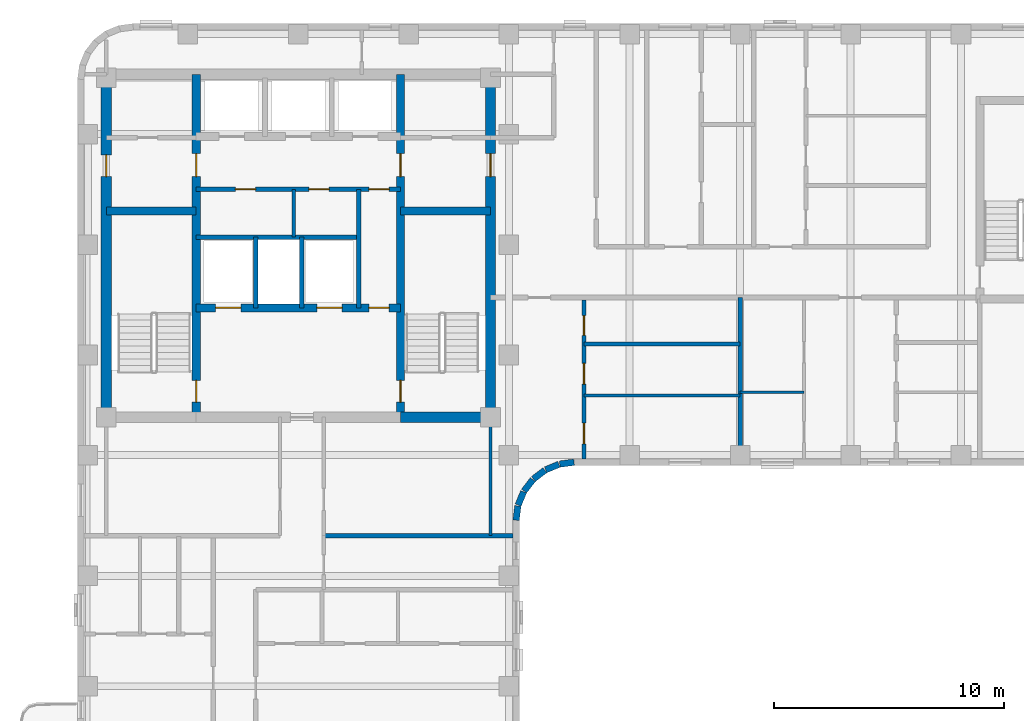
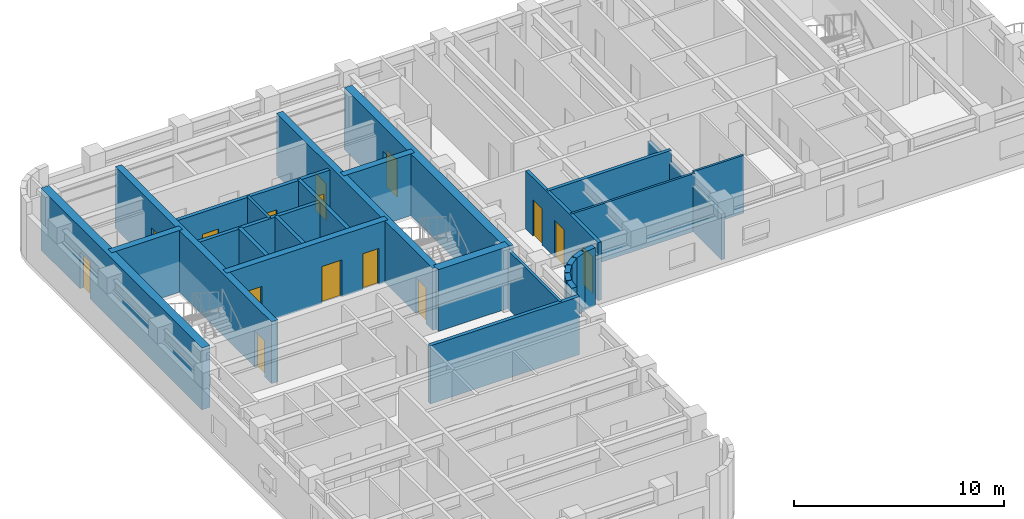
# One storey, part 4 of 10: 27 walls, 15 doors, 15 openings.
"""IFC4 building model written with IfcOpenShell, lengths in metres."""

from ifc_helpers import new_model, si_unit, direction, frame, frame_2d, origin, place, context, subcontext, project, spatial, rectangle, extrude, material, layer, layer_set, type_object, element, fill, save


model = new_model("IFC4")

# Units and contexts
model_context = context("Model", 3, precision=1e-05, world=origin(), true_north=direction((0.0, 1.0)))
body_context = subcontext(model_context, "Body", "Model", "MODEL_VIEW")
ifc_project = project(units=[si_unit("LENGTHUNIT", "METRE"), si_unit("AREAUNIT", "SQUARE_METRE"), si_unit("VOLUMEUNIT", "CUBIC_METRE"), si_unit("PLANEANGLEUNIT", "RADIAN"), si_unit("MASSUNIT", "GRAM", prefix="KILO")], contexts=[model_context])

# Site, building, storey
site_placement = place(None, origin())
site = spatial("IfcSite", under=ifc_project, at=site_placement, CompositionType="ELEMENT")
building_placement = place(site_placement, origin())
building = spatial("IfcBuilding", under=site, at=building_placement, Name="Orvandelia Arch Residences", CompositionType="ELEMENT")
storey_placement = place(building_placement, frame((0.0, 0.0, 225.39990234375)))
storey = spatial("IfcBuildingStorey", under=building, at=storey_placement, Name="L59", CompositionType="ELEMENT", Elevation=225.39990234375)

# Wall, openings, doors
ifc_material_1 = material(Name="Concrete C50/60", Category="concrete")
ifc_layer_1 = layer(ifc_material_1, 0.35009765625, Name="Concrete C50/60", Category="concrete")
ifc_layer_set_1 = layer_set([ifc_layer_1], Name="Concrete C50/60")
wall_type_1 = type_object("IfcWallType", Name="WL-CORE-350", PredefinedType="SHEAR", material=ifc_layer_set_1)
wall_1_placement = place(storey_placement, frame((9.9599609375, 30.89990234375, 0.0), z_axis=(0.0, 0.0, 1.0), x_axis=(0.0, 1.0, 0.0)))
wall_1 = element("IfcWall", 1, at=wall_1_placement, inside=storey, type_object=wall_type_1, Name="Core Shear Wall L59-WEB1", PredefinedType="SHEAR", context=body_context, shape_type="SweptSolid", body=[
    extrude(rectangle(XDim=14.900146484375, YDim=0.35009765625, at=frame_2d((7.4501953125, 0.0))), origin(), (0.0, 0.0, 1.0), 3.60009765625),
])
opening_1_placement = place(wall_1_placement, frame((0.64990234375, 0.0, 0.0)))
opening_1 = element("IfcOpeningElement", 2, at=opening_1_placement, cuts=wall_1, Name="Opening D7", PredefinedType="OPENING", context=body_context, shape_type="SweptSolid", body=[
    extrude(rectangle(XDim=0.949951171875, YDim=2.10009765625, at=frame_2d((0.47509765625, 1.050048828125))), frame((0.0, 0.18505859375, 0.0), z_axis=(0.0, -1.0, 0.0), x_axis=(1.0, 0.0, 0.0)), (0.0, 0.0, 1.0), 0.3701171875),
])
opening_2_placement = place(wall_1_placement, frame((10.449951171875, 0.0, 0.0)))
opening_2 = element("IfcOpeningElement", 3, at=opening_2_placement, cuts=wall_1, Name="Opening D6", PredefinedType="OPENING", context=body_context, shape_type="SweptSolid", body=[
    extrude(rectangle(XDim=1.0, YDim=2.14990234375, at=frame_2d((0.5, 1.074951171875))), frame((0.0, 0.18505859375, 0.0), z_axis=(0.0, -1.0, 0.0), x_axis=(1.0, 0.0, 0.0)), (0.0, 0.0, 1.0), 0.3701171875),
])
ifc_material_2 = material(Name="Smokeproof Painted Steel Fire Door", Category="steel")
door_type_1 = type_object("IfcDoorType", Name="DR-FD60-1000", OperationType="NOTDEFINED", PredefinedType="DOOR", material=ifc_material_2)
door_1_placement = place(opening_2_placement, origin())
door_1 = element("IfcDoor", 4, at=door_1_placement, inside=storey, type_object=door_type_1, Name="High-Rise Lift Hall West Vestibule Door L59", OperationType="SINGLE_SWING_LEFT", OverallHeight=2.14990234375, OverallWidth=1.0, PredefinedType="DOOR", context=body_context, shape_type="SweptSolid", body=[
    extrude(rectangle(XDim=1.0, YDim=2.14990234375, at=frame_2d((0.5, 1.074951171875))), frame((0.0, 0.02490234375, 0.0), z_axis=(0.0, -1.0, 0.0), x_axis=(1.0, 0.0, 0.0)), (0.0, 0.0, 1.0), 0.050048828125),
])
fill(opening_2, door_1)
ifc_material_3 = material(Name="Pressurised Stairwell Fire Door")
door_type_2 = type_object("IfcDoorType", Name="DR-STAIR-950", OperationType="NOTDEFINED", PredefinedType="DOOR", material=ifc_material_3)
door_2_placement = place(opening_1_placement, origin())
door_2 = element("IfcDoor", 5, at=door_2_placement, inside=storey, type_object=door_type_2, Name="Stairwell ST-1 Fire Door L59", OperationType="SINGLE_SWING_LEFT", OverallHeight=2.10009765625, OverallWidth=0.949951171875, PredefinedType="DOOR", context=body_context, shape_type="SweptSolid", body=[
    extrude(rectangle(XDim=0.949951171875, YDim=2.10009765625, at=frame_2d((0.47509765625, 1.050048828125))), frame((0.0, 0.02490234375, 0.0), z_axis=(0.0, -1.0, 0.0), x_axis=(1.0, 0.0, 0.0)), (0.0, 0.0, 1.0), 0.050048828125),
])
fill(opening_1, door_2)

wall_2_placement = place(storey_placement, frame((18.840087890625, 30.89990234375, 0.0), z_axis=(0.0, 0.0, 1.0), x_axis=(0.0, 1.0, 0.0)))
wall_2 = element("IfcWall", 6, at=wall_2_placement, inside=storey, type_object=wall_type_1, Name="Core Shear Wall L59-WEB2", PredefinedType="SHEAR", context=body_context, shape_type="SweptSolid", body=[
    extrude(rectangle(XDim=14.900146484375, YDim=0.35009765625, at=frame_2d((7.4501953125, 0.0))), origin(), (0.0, 0.0, 1.0), 3.60009765625),
])
opening_3_placement = place(wall_2_placement, frame((0.64990234375, 0.0, 0.0)))
opening_3 = element("IfcOpeningElement", 7, at=opening_3_placement, cuts=wall_2, Name="Opening D7", PredefinedType="OPENING", context=body_context, shape_type="SweptSolid", body=[
    extrude(rectangle(XDim=0.949951171875, YDim=2.10009765625, at=frame_2d((0.47509765625, 1.050048828125))), frame((0.0, 0.18505859375, 0.0), z_axis=(0.0, -1.0, 0.0), x_axis=(1.0, 0.0, 0.0)), (0.0, 0.0, 1.0), 0.3701171875),
])
opening_4_placement = place(wall_2_placement, frame((10.449951171875, 0.0, 0.0)))
opening_4 = element("IfcOpeningElement", 8, at=opening_4_placement, cuts=wall_2, Name="Opening D6", PredefinedType="OPENING", context=body_context, shape_type="SweptSolid", body=[
    extrude(rectangle(XDim=1.0, YDim=2.14990234375, at=frame_2d((0.5, 1.074951171875))), frame((0.0, 0.18505859375, 0.0), z_axis=(0.0, -1.0, 0.0), x_axis=(1.0, 0.0, 0.0)), (0.0, 0.0, 1.0), 0.3701171875),
])
door_3_placement = place(opening_4_placement, origin())
door_3 = element("IfcDoor", 9, at=door_3_placement, inside=storey, type_object=door_type_1, Name="High-Rise Lift Hall East Vestibule Door L59", OperationType="SINGLE_SWING_RIGHT", OverallHeight=2.14990234375, OverallWidth=1.0, PredefinedType="DOOR", context=body_context, shape_type="SweptSolid", body=[
    extrude(rectangle(XDim=1.0, YDim=2.14990234375, at=frame_2d((0.5, 1.074951171875))), frame((0.0, 0.02490234375, 0.0), z_axis=(0.0, -1.0, 0.0), x_axis=(1.0, 0.0, 0.0)), (0.0, 0.0, 1.0), 0.050048828125),
])
fill(opening_4, door_3)
door_4_placement = place(opening_3_placement, origin())
door_4 = element("IfcDoor", 10, at=door_4_placement, inside=storey, type_object=door_type_2, Name="Stairwell ST-2 Fire Door L59", OperationType="SINGLE_SWING_RIGHT", OverallHeight=2.10009765625, OverallWidth=0.949951171875, PredefinedType="DOOR", context=body_context, shape_type="SweptSolid", body=[
    extrude(rectangle(XDim=0.949951171875, YDim=2.10009765625, at=frame_2d((0.47509765625, 1.050048828125))), frame((0.0, 0.02490234375, 0.0), z_axis=(0.0, -1.0, 0.0), x_axis=(1.0, 0.0, 0.0)), (0.0, 0.0, 1.0), 0.050048828125),
])
fill(opening_3, door_4)

# Walls
for number, where, z_axis, x_axis, name in (
    (11, (6.050048828125, 39.85009765625, 0.0), (0.0, 0.0, 1.0), (1.0, 0.0, 0.0), "Core Shear Wall L59-HZ1"),
    (12, (18.840087890625, 39.85009765625, 0.0), (0.0, 0.0, 1.0), (1.0, 0.0, 0.0), "Core Shear Wall L59-HZ2"),
):
    element("IfcWall", number, at=place(storey_placement, frame(where, z_axis=z_axis, x_axis=x_axis)), inside=storey, type_object=wall_type_1, Name=name, PredefinedType="SHEAR", context=body_context, shape_type="SweptSolid", body=[
        extrude(rectangle(XDim=3.909912109375, YDim=0.35009765625, at=frame_2d((1.955078125, 0.0))), origin(), (0.0, 0.0, 1.0), 3.60009765625),
    ])

# Wall, openings, doors
wall_3_placement = place(storey_placement, frame((9.9599609375, 35.64990234375, 0.0), z_axis=(0.0, 0.0, 1.0), x_axis=(1.0, 0.0, 0.0)))
wall_3 = element("IfcWall", 13, at=wall_3_placement, inside=storey, type_object=wall_type_1, Name="Core Shear Wall L59-HZ3", PredefinedType="SHEAR", context=body_context, shape_type="SweptSolid", body=[
    extrude(rectangle(XDim=8.880126953125, YDim=0.35009765625, at=frame_2d((4.43994140625, 0.0))), origin(), (0.0, 0.0, 1.0), 3.60009765625),
])
opening_5_placement = place(wall_3_placement, frame((0.840087890625, 0.0, 0.0)))
opening_5 = element("IfcOpeningElement", 14, at=opening_5_placement, cuts=wall_3, Name="Opening FLD", PredefinedType="OPENING", context=body_context, shape_type="SweptSolid", body=[
    extrude(rectangle(XDim=1.10009765625, YDim=2.14990234375, at=frame_2d((0.550048828125, 1.074951171875))), frame((0.0, 0.18505859375, 0.0), z_axis=(0.0, -1.0, 0.0), x_axis=(1.0, 0.0, 0.0)), (0.0, 0.0, 1.0), 0.3701171875),
])
opening_6_placement = place(wall_3_placement, frame((5.239990234375, 0.0, 0.0)))
opening_6 = element("IfcOpeningElement", 15, at=opening_6_placement, cuts=wall_3, Name="Opening FLD", PredefinedType="OPENING", context=body_context, shape_type="SweptSolid", body=[
    extrude(rectangle(XDim=1.10009765625, YDim=2.14990234375, at=frame_2d((0.550048828125, 1.074951171875))), frame((0.0, 0.18505859375, 0.0), z_axis=(0.0, -1.0, 0.0), x_axis=(1.0, 0.0, 0.0)), (0.0, 0.0, 1.0), 0.3701171875),
])
opening_7_placement = place(wall_3_placement, frame((7.5, 0.0, 0.0)))
opening_7 = element("IfcOpeningElement", 16, at=opening_7_placement, cuts=wall_3, Name="Opening D5", PredefinedType="OPENING", context=body_context, shape_type="SweptSolid", body=[
    extrude(rectangle(XDim=0.8798828125, YDim=2.10009765625, at=frame_2d((0.43994140625, 1.050048828125))), frame((0.0, 0.18505859375, 0.0), z_axis=(0.0, -1.0, 0.0), x_axis=(1.0, 0.0, 0.0)), (0.0, 0.0, 1.0), 0.3701171875),
])
ifc_material_4 = material(Name="Firefighting Lift Stainless Sliding Door")
door_type_3 = type_object("IfcDoorType", Name="DR-FLFT-1100", OperationType="NOTDEFINED", PredefinedType="DOOR", material=ifc_material_4)
door_5_placement = place(opening_5_placement, origin())
door_5 = element("IfcDoor", 17, at=door_5_placement, inside=storey, type_object=door_type_3, Name="Firefighting Lift Landing Door FLD-FL1-L59", OperationType="SLIDING_TO_LEFT", OverallHeight=2.14990234375, OverallWidth=1.10009765625, PredefinedType="DOOR", context=body_context, shape_type="SweptSolid", body=[
    extrude(rectangle(XDim=1.10009765625, YDim=2.14990234375, at=frame_2d((0.550048828125, 1.074951171875))), frame((0.0, 0.02490234375, 0.0), z_axis=(0.0, -1.0, 0.0), x_axis=(1.0, 0.0, 0.0)), (0.0, 0.0, 1.0), 0.050048828125),
])
fill(opening_5, door_5)
door_6_placement = place(opening_6_placement, origin())
door_6 = element("IfcDoor", 18, at=door_6_placement, inside=storey, type_object=door_type_3, Name="Firefighting Lift Landing Door FLD-FL2-L59", OperationType="SLIDING_TO_RIGHT", OverallHeight=2.14990234375, OverallWidth=1.10009765625, PredefinedType="DOOR", context=body_context, shape_type="SweptSolid", body=[
    extrude(rectangle(XDim=1.10009765625, YDim=2.14990234375, at=frame_2d((0.550048828125, 1.074951171875))), frame((0.0, 0.02490234375, 0.0), z_axis=(0.0, -1.0, 0.0), x_axis=(1.0, 0.0, 0.0)), (0.0, 0.0, 1.0), 0.050048828125),
])
fill(opening_6, door_6)
ifc_material_5 = material(Name="Painted Galvanised Steel Service Door", Category="steel")
door_type_4 = type_object("IfcDoorType", Name="DR-SRV-880", OperationType="NOTDEFINED", PredefinedType="DOOR", material=ifc_material_5)
door_7_placement = place(opening_7_placement, origin())
door_7 = element("IfcDoor", 19, at=door_7_placement, inside=storey, type_object=door_type_4, Name="Core Stairway Passage South Fire Door L59", OperationType="SINGLE_SWING_LEFT", OverallHeight=2.10009765625, OverallWidth=0.8798828125, PredefinedType="DOOR", context=body_context, shape_type="SweptSolid", body=[
    extrude(rectangle(XDim=0.8798828125, YDim=2.10009765625, at=frame_2d((0.43994140625, 1.050048828125))), frame((0.0, 0.02490234375, 0.0), z_axis=(0.0, -1.0, 0.0), x_axis=(1.0, 0.0, 0.0)), (0.0, 0.0, 1.0), 0.050048828125),
])
fill(opening_7, door_7)

# Wall, opening, door
ifc_layer_2 = layer(ifc_material_1, 0.449951171875, Name="Concrete C50/60", Category="concrete")
ifc_layer_set_2 = layer_set([ifc_layer_2], Name="Concrete C50/60")
wall_type_2 = type_object("IfcWallType", Name="WL-CORE-450", PredefinedType="SHEAR", material=ifc_layer_set_2)
wall_4_placement = place(storey_placement, frame((6.050048828125, 30.675048828125, 0.0), z_axis=(0.0, 0.0, 1.0), x_axis=(0.0, 1.0, 0.0)))
wall_4 = element("IfcWall", 20, at=wall_4_placement, inside=storey, type_object=wall_type_2, Name="Core Shear Wall L59-W", PredefinedType="SHEAR", context=body_context, shape_type="SweptSolid", body=[
    extrude(rectangle(XDim=15.349853515625, YDim=0.449951171875, at=frame_2d((7.6748046875, 0.0))), origin(), (0.0, 0.0, 1.0), 3.60009765625),
])
opening_8_placement = place(wall_4_placement, frame((10.675048828125, 0.0, 0.0)))
opening_8 = element("IfcOpeningElement", 21, at=opening_8_placement, cuts=wall_4, Name="Opening D2", PredefinedType="OPENING", context=body_context, shape_type="SweptSolid", body=[
    extrude(rectangle(XDim=0.949951171875, YDim=2.14990234375, at=frame_2d((0.47509765625, 1.074951171875))), frame((0.0, 0.23486328125, 0.0), z_axis=(0.0, -1.0, 0.0), x_axis=(1.0, 0.0, 0.0)), (0.0, 0.0, 1.0), 0.469970703125),
])
ifc_material_6 = material(Name="Solid-Core Timber Interior Fire Door", Category="wood")
door_type_5 = type_object("IfcDoorType", Name="DR-APT-950", OperationType="NOTDEFINED", PredefinedType="DOOR", material=ifc_material_6)
door_8_placement = place(opening_8_placement, origin())
door_8 = element("IfcDoor", 22, at=door_8_placement, inside=storey, type_object=door_type_5, Name="West Viewing Study Door L59", OperationType="SINGLE_SWING_RIGHT", OverallHeight=2.14990234375, OverallWidth=0.949951171875, PredefinedType="DOOR", context=body_context, shape_type="SweptSolid", body=[
    extrude(rectangle(XDim=0.949951171875, YDim=2.14990234375, at=frame_2d((0.47509765625, 1.074951171875))), frame((0.0, 0.02490234375, 0.0), z_axis=(0.0, -1.0, 0.0), x_axis=(1.0, 0.0, 0.0)), (0.0, 0.0, 1.0), 0.050048828125),
])
fill(opening_8, door_8)

wall_5_placement = place(storey_placement, frame((22.75, 30.675048828125, 0.0), z_axis=(0.0, 0.0, 1.0), x_axis=(0.0, 1.0, 0.0)))
wall_5 = element("IfcWall", 23, at=wall_5_placement, inside=storey, type_object=wall_type_2, Name="Core Shear Wall L59-E", PredefinedType="SHEAR", context=body_context, shape_type="SweptSolid", body=[
    extrude(rectangle(XDim=15.349853515625, YDim=0.449951171875, at=frame_2d((7.6748046875, 0.0))), origin(), (0.0, 0.0, 1.0), 3.60009765625),
])
opening_9_placement = place(wall_5_placement, frame((10.675048828125, 0.0, 0.0)))
opening_9 = element("IfcOpeningElement", 24, at=opening_9_placement, cuts=wall_5, Name="Opening D6", PredefinedType="OPENING", context=body_context, shape_type="SweptSolid", body=[
    extrude(rectangle(XDim=1.0, YDim=2.14990234375, at=frame_2d((0.5, 1.074951171875))), frame((0.0, 0.23486328125, 0.0), z_axis=(0.0, -1.0, 0.0), x_axis=(1.0, 0.0, 0.0)), (0.0, 0.0, 1.0), 0.469970703125),
])
door_9_placement = place(opening_9_placement, origin())
door_9 = element("IfcDoor", 25, at=door_9_placement, inside=storey, type_object=door_type_1, Name="Core East Corridor Link Door L59", OperationType="SINGLE_SWING_LEFT", OverallHeight=2.14990234375, OverallWidth=1.0, PredefinedType="DOOR", context=body_context, shape_type="SweptSolid", body=[
    extrude(rectangle(XDim=1.0, YDim=2.14990234375, at=frame_2d((0.5, 1.074951171875))), frame((0.0, 0.02490234375, 0.0), z_axis=(0.0, -1.0, 0.0), x_axis=(1.0, 0.0, 0.0)), (0.0, 0.0, 1.0), 0.050048828125),
])
fill(opening_9, door_9)

# Walls
wall_6_placement = place(storey_placement, frame((18.840087890625, 30.89990234375, 0.0), z_axis=(0.0, 0.0, 1.0), x_axis=(1.0, 0.0, 0.0)))
element("IfcWall", 26, at=wall_6_placement, inside=storey, type_object=wall_type_2, Name="Core Shear Wall L59-SE", PredefinedType="SHEAR", context=body_context, shape_type="SweptSolid", body=[
    extrude(rectangle(XDim=3.909912109375, YDim=0.449951171875, at=frame_2d((1.955078125, 0.0))), origin(), (0.0, 0.0, 1.0), 3.60009765625),
])
ifc_material_7 = material(Name="Fire-Rated Corridor Partition")
ifc_layer_3 = layer(ifc_material_7, 0.199951171875, Name="Fire-Rated Corridor Partition")
ifc_layer_set_3 = layer_set([ifc_layer_3], Name="Fire-Rated Corridor Partition")
wall_type_3 = type_object("IfcWallType", Name="WL-CORR-200", PredefinedType="PARTITIONING", material=ifc_layer_set_3)
wall_7_placement = place(storey_placement, frame((15.5, 25.75, 0.0), z_axis=(0.0, 0.0, 1.0), x_axis=(1.0, 0.0, 0.0)))
element("IfcWall", 27, at=wall_7_placement, inside=storey, type_object=wall_type_3, Name="Interior Partition Wall WL-L59-WLNK-NE2", PredefinedType="PARTITIONING", context=body_context, shape_type="SweptSolid", body=[
    extrude(rectangle(XDim=8.219970703125, YDim=0.199951171875, at=frame_2d((4.10986328125, 0.0))), origin(), (0.0, 0.0, 1.0), 3.380126953125),
])
ifc_material_8 = material(Name="Concrete C40/50", Category="concrete")
ifc_layer_4 = layer(ifc_material_8, 0.199951171875, Name="Concrete C40/50", Category="concrete")
ifc_layer_set_4 = layer_set([ifc_layer_4], Name="Concrete C40/50")
wall_type_4 = type_object("IfcWallType", Name="WL-DEM-200", PredefinedType="SOLIDWALL", material=ifc_layer_set_4)
wall_8_placement = place(storey_placement, frame((33.60009765625, 29.080078125, 0.0), z_axis=(0.0, 0.0, 1.0), x_axis=(0.0, 1.0, 0.0)))
element("IfcWall", 28, at=wall_8_placement, inside=storey, type_object=wall_type_4, Name="Interior Partition Wall WL-L59-DEM-EMS-336", PredefinedType="SOLIDWALL", context=body_context, shape_type="SweptSolid", body=[
    extrude(rectangle(XDim=7.02001953125, YDim=0.199951171875, at=frame_2d((3.510009765625, 0.0))), origin(), (0.0, 0.0, 1.0), 2.66015625),
])
ifc_material_9 = material(Name="Precast concrete C40/50", Category="concrete")
ifc_layer_5 = layer(ifc_material_9, 0.280029296875, Name="Precast concrete C40/50", Category="concrete")
ifc_layer_set_5 = layer_set([ifc_layer_5], Name="Precast concrete C40/50")
wall_type_5 = type_object("IfcWallType", Name="WL-EXT-STONE-280", PredefinedType="STANDARD", material=ifc_layer_set_5)
wall_9_placement = place(storey_placement, frame((26.381591796875, 28.938720703125, 0.0), z_axis=(0.0, 0.0, 1.0), x_axis=(-0.9914410257, -0.130555323746, 0.0)))
element("IfcWall", 29, at=wall_9_placement, inside=storey, type_object=wall_type_5, Name="Coral-Limestone Precast Facade Wall L59-022", PredefinedType="STANDARD", context=body_context, shape_type="SweptSolid", body=[
    extrude(rectangle(XDim=0.62646484375, YDim=0.280029296875, at=frame_2d((0.313232421875, 0.0))), origin(), (0.0, 0.0, 1.0), 3.380126953125),
])
wall_10_placement = place(storey_placement, frame((25.72509765625, 28.847412109375, 0.0), z_axis=(0.0, 0.0, 1.0), x_axis=(-0.923974080304, -0.382455093999, 0.0)))
element("IfcWall", 30, at=wall_10_placement, inside=storey, type_object=wall_type_5, Name="Coral-Limestone Precast Facade Wall L59-023", PredefinedType="STANDARD", context=body_context, shape_type="SweptSolid", body=[
    extrude(rectangle(XDim=0.626220703125, YDim=0.280029296875, at=frame_2d((0.31298828125, 0.0))), origin(), (0.0, 0.0, 1.0), 3.380126953125),
])
for number, where, z_axis, x_axis, name in (
    (31, (25.11474609375, 28.589599609375, 0.0), (0.0, 0.0, 1.0), (-0.793405610854, -0.608693302629, 0.0), "Coral-Limestone Precast Facade Wall L59-024"),
    (32, (24.591796875, 28.182373046875, 0.0), (0.0, 0.0, 1.0), (-0.608693302629, -0.793405610854, 0.0), "Coral-Limestone Precast Facade Wall L59-025"),
    (33, (24.192138671875, 27.653564453125, 0.0), (0.0, 0.0, 1.0), (-0.382650053678, -0.92389335771, 0.0), "Coral-Limestone Precast Facade Wall L59-026"),
):
    element("IfcWall", number, at=place(storey_placement, frame(where, z_axis=z_axis, x_axis=x_axis)), inside=storey, type_object=wall_type_5, Name=name, PredefinedType="STANDARD", context=body_context, shape_type="SweptSolid", body=[
        extrude(rectangle(XDim=0.62646484375, YDim=0.280029296875, at=frame_2d((0.313232421875, 0.0))), origin(), (0.0, 0.0, 1.0), 3.380126953125),
    ])
wall_11_placement = place(storey_placement, frame((23.943115234375, 27.03955078125, 0.0), z_axis=(0.0, 0.0, 1.0), x_axis=(-0.130887801573, -0.991397187508, 0.0)))
element("IfcWall", 34, at=wall_11_placement, inside=storey, type_object=wall_type_5, Name="Coral-Limestone Precast Facade Wall L59-027", PredefinedType="STANDARD", context=body_context, shape_type="SweptSolid", body=[
    extrude(rectangle(XDim=0.626708984375, YDim=0.280029296875, at=frame_2d((0.3134765625, 0.0))), origin(), (0.0, 0.0, 1.0), 3.380126953125),
])
ifc_material_10 = material(Name="Lightweight Gypsum Stud Partition")
ifc_layer_6 = layer(ifc_material_10, 0.1201171875, Name="Lightweight Gypsum Stud Partition")
ifc_layer_set_6 = layer_set([ifc_layer_6], Name="Lightweight Gypsum Stud Partition")
wall_type_6 = type_object("IfcWallType", Name="WL-PART-120", PredefinedType="PARTITIONING", material=ifc_layer_set_6)
wall_12_placement = place(storey_placement, frame((26.81298828125, 31.8359375, 0.0), z_axis=(0.0, 0.0, 1.0), x_axis=(1.0, 0.0, 0.0)))
element("IfcWall", 35, at=wall_12_placement, inside=storey, type_object=wall_type_6, Name="Interior Partition Wall WL-L59-U05-H1", PredefinedType="PARTITIONING", context=body_context, shape_type="SweptSolid", body=[
    extrude(rectangle(XDim=6.787109375, YDim=0.1201171875, at=frame_2d((3.3935546875, 0.0))), origin(), (0.0, 0.0, 1.0), 3.380126953125),
])
wall_13_placement = place(storey_placement, frame((33.60009765625, 31.97509765625, 0.0), z_axis=(0.0, 0.0, 1.0), x_axis=(1.0, 0.0, 0.0)))
element("IfcWall", 36, at=wall_13_placement, inside=storey, type_object=wall_type_6, Name="Interior Partition Wall WL-L59-U06-HB", PredefinedType="PARTITIONING", context=body_context, shape_type="SweptSolid", body=[
    extrude(rectangle(XDim=2.77490234375, YDim=0.1201171875, at=frame_2d((1.387451171875, 0.0))), origin(), (0.0, 0.0, 1.0), 3.380126953125),
])
ifc_material_11 = material(Name="Acoustic Gypsum Stud Partition")
ifc_layer_7 = layer(ifc_material_11, 0.14990234375, Name="Acoustic Gypsum Stud Partition")
ifc_layer_set_7 = layer_set([ifc_layer_7], Name="Acoustic Gypsum Stud Partition")
wall_type_7 = type_object("IfcWallType", Name="WL-PART-150", PredefinedType="PARTITIONING", material=ifc_layer_set_7)
wall_14_placement = place(storey_placement, frame((14.199951171875, 38.719970703125, 0.0), z_axis=(0.0, 0.0, 1.0), x_axis=(0.0, 1.0, 0.0)))
element("IfcWall", 37, at=wall_14_placement, inside=storey, type_object=wall_type_7, Name="Interior Partition Wall WL-L59-CSA-1", PredefinedType="PARTITIONING", context=body_context, shape_type="SweptSolid", body=[
    extrude(rectangle(XDim=2.080078125, YDim=0.14990234375, at=frame_2d((1.0400390625, 0.0))), origin(), (0.0, 0.0, 1.0), 3.380126953125),
])
wall_15_placement = place(storey_placement, frame((22.75, 25.75, 0.0), z_axis=(0.0, 0.0, 1.0), x_axis=(0.0, 1.0, 0.0)))
element("IfcWall", 38, at=wall_15_placement, inside=storey, type_object=wall_type_7, Name="Interior Partition Wall WL-L59-HI-WE", PredefinedType="PARTITIONING", context=body_context, shape_type="SweptSolid", body=[
    extrude(rectangle(XDim=5.14990234375, YDim=0.14990234375, at=frame_2d((2.574951171875, 0.0))), origin(), (0.0, 0.0, 1.0), 3.380126953125),
])
ifc_material_12 = material(Name="Fire-Rated Shaft Enclosure Wall")
ifc_layer_8 = layer(ifc_material_12, 0.199951171875, Name="Fire-Rated Shaft Enclosure Wall")
ifc_layer_set_8 = layer_set([ifc_layer_8], Name="Fire-Rated Shaft Enclosure Wall")
wall_type_8 = type_object("IfcWallType", Name="WL-SHAFT-200", PredefinedType="POLYGONAL", material=ifc_layer_set_8)
wall_16_placement = place(storey_placement, frame((9.9599609375, 38.719970703125, 0.0), z_axis=(0.0, 0.0, 1.0), x_axis=(1.0, 0.0, 0.0)))
element("IfcWall", 39, at=wall_16_placement, inside=storey, type_object=wall_type_8, Name="Interior Partition Wall WL-L59-FLN", PredefinedType="POLYGONAL", context=body_context, shape_type="SweptSolid", body=[
    extrude(rectangle(XDim=7.06005859375, YDim=0.199951171875, at=frame_2d((3.530029296875, 0.0))), origin(), (0.0, 0.0, 1.0), 3.380126953125),
])
for number, where, z_axis, x_axis, name in (
    (40, (12.550048828125, 35.64990234375, 0.0), (0.0, 0.0, 1.0), (0.0, 1.0, 0.0), "Interior Partition Wall WL-L59-FLM1"),
    (41, (14.550048828125, 35.64990234375, 0.0), (0.0, 0.0, 1.0), (0.0, 1.0, 0.0), "Interior Partition Wall WL-L59-FLM2"),
):
    element("IfcWall", number, at=place(storey_placement, frame(where, z_axis=z_axis, x_axis=x_axis)), inside=storey, type_object=wall_type_8, Name=name, PredefinedType="POLYGONAL", context=body_context, shape_type="SweptSolid", body=[
        extrude(rectangle(XDim=3.070068359375, YDim=0.199951171875, at=frame_2d((1.53515625, 0.0))), origin(), (0.0, 0.0, 1.0), 3.380126953125),
    ])
wall_17_placement = place(storey_placement, frame((17.02001953125, 35.64990234375, 0.0), z_axis=(0.0, 0.0, 1.0), x_axis=(0.0, 1.0, 0.0)))
element("IfcWall", 42, at=wall_17_placement, inside=storey, type_object=wall_type_8, Name="Interior Partition Wall WL-L59-FLM3", PredefinedType="POLYGONAL", context=body_context, shape_type="SweptSolid", body=[
    extrude(rectangle(XDim=5.150146484375, YDim=0.199951171875, at=frame_2d((2.5751953125, 0.0))), origin(), (0.0, 0.0, 1.0), 3.380126953125),
])

# Wall, openings, doors
wall_18_placement = place(storey_placement, frame((9.9599609375, 40.800048828125, 0.0), z_axis=(0.0, 0.0, 1.0), x_axis=(1.0, 0.0, 0.0)))
wall_18 = element("IfcWall", 43, at=wall_18_placement, inside=storey, type_object=wall_type_8, Name="Interior Partition Wall WL-L59-HLH-S", PredefinedType="POLYGONAL", context=body_context, shape_type="SweptSolid", body=[
    extrude(rectangle(XDim=8.880126953125, YDim=0.199951171875, at=frame_2d((4.43994140625, 0.0))), origin(), (0.0, 0.0, 1.0), 3.380126953125),
])
opening_10_placement = place(wall_18_placement, frame((7.5, 0.0, 0.0)))
opening_10 = element("IfcOpeningElement", 44, at=opening_10_placement, cuts=wall_18, Name="Opening D5", PredefinedType="OPENING", context=body_context, shape_type="SweptSolid", body=[
    extrude(rectangle(XDim=0.8798828125, YDim=2.10009765625, at=frame_2d((0.43994140625, 1.050048828125))), frame((0.0, 0.10986328125, 0.0), z_axis=(0.0, -1.0, 0.0), x_axis=(1.0, 0.0, 0.0)), (0.0, 0.0, 1.0), 0.219970703125),
])
opening_11_placement = place(wall_18_placement, frame((1.699951171875, 0.0, 0.0)))
opening_11 = element("IfcOpeningElement", 45, at=opening_11_placement, cuts=wall_18, Name="Opening D5", PredefinedType="OPENING", context=body_context, shape_type="SweptSolid", body=[
    extrude(rectangle(XDim=0.8798828125, YDim=2.10009765625, at=frame_2d((0.43994140625, 1.050048828125))), frame((0.0, 0.10986328125, 0.0), z_axis=(0.0, -1.0, 0.0), x_axis=(1.0, 0.0, 0.0)), (0.0, 0.0, 1.0), 0.219970703125),
])
opening_12_placement = place(wall_18_placement, frame((4.89990234375, 0.0, 0.0)))
opening_12 = element("IfcOpeningElement", 46, at=opening_12_placement, cuts=wall_18, Name="Opening D5", PredefinedType="OPENING", context=body_context, shape_type="SweptSolid", body=[
    extrude(rectangle(XDim=0.8798828125, YDim=2.10009765625, at=frame_2d((0.43994140625, 1.050048828125))), frame((0.0, 0.10986328125, 0.0), z_axis=(0.0, -1.0, 0.0), x_axis=(1.0, 0.0, 0.0)), (0.0, 0.0, 1.0), 0.219970703125),
])
door_10_placement = place(opening_10_placement, origin())
door_10 = element("IfcDoor", 47, at=door_10_placement, inside=storey, type_object=door_type_4, Name="Core Stairway Passage North Fire Door L59", OperationType="SINGLE_SWING_RIGHT", OverallHeight=2.10009765625, OverallWidth=0.8798828125, PredefinedType="DOOR", context=body_context, shape_type="SweptSolid", body=[
    extrude(rectangle(XDim=0.8798828125, YDim=2.10009765625, at=frame_2d((0.43994140625, 1.050048828125))), frame((0.0, 0.02490234375, 0.0), z_axis=(0.0, -1.0, 0.0), x_axis=(1.0, 0.0, 0.0)), (0.0, 0.0, 1.0), 0.050048828125),
])
fill(opening_10, door_10)
door_11_placement = place(opening_11_placement, origin())
door_11 = element("IfcDoor", 48, at=door_11_placement, inside=storey, type_object=door_type_4, Name="DR-L59-CSA1", OperationType="SINGLE_SWING_LEFT", OverallHeight=2.10009765625, OverallWidth=0.8798828125, PredefinedType="DOOR", context=body_context, shape_type="SweptSolid", body=[
    extrude(rectangle(XDim=0.8798828125, YDim=2.10009765625, at=frame_2d((0.43994140625, 1.050048828125))), frame((0.0, 0.02490234375, 0.0), z_axis=(0.0, -1.0, 0.0), x_axis=(1.0, 0.0, 0.0)), (0.0, 0.0, 1.0), 0.050048828125),
])
fill(opening_11, door_11)
door_12_placement = place(opening_12_placement, origin())
door_12 = element("IfcDoor", 49, at=door_12_placement, inside=storey, type_object=door_type_4, Name="DR-L59-CSA2", OperationType="SINGLE_SWING_RIGHT", OverallHeight=2.10009765625, OverallWidth=0.8798828125, PredefinedType="DOOR", context=body_context, shape_type="SweptSolid", body=[
    extrude(rectangle(XDim=0.8798828125, YDim=2.10009765625, at=frame_2d((0.43994140625, 1.050048828125))), frame((0.0, 0.02490234375, 0.0), z_axis=(0.0, -1.0, 0.0), x_axis=(1.0, 0.0, 0.0)), (0.0, 0.0, 1.0), 0.050048828125),
])
fill(opening_12, door_12)

ifc_material_13 = material(Name="Moisture-Resistant Plumbing Wall")
ifc_layer_9 = layer(ifc_material_13, 0.179931640625, Name="Moisture-Resistant Plumbing Wall")
ifc_layer_set_9 = layer_set([ifc_layer_9], Name="Moisture-Resistant Plumbing Wall")
wall_type_9 = type_object("IfcWallType", Name="WL-WET-180", PredefinedType="PLUMBINGWALL", material=ifc_layer_set_9)
wall_19_placement = place(storey_placement, frame((26.81298828125, 29.080078125, 0.0), z_axis=(0.0, 0.0, 1.0), x_axis=(0.0, 1.0, 0.0)))
wall_19 = element("IfcWall", 50, at=wall_19_placement, inside=storey, type_object=wall_type_9, Name="Interior Partition Wall WL-L59-U05-VT", PredefinedType="PLUMBINGWALL", context=body_context, shape_type="SweptSolid", body=[
    extrude(rectangle(XDim=6.919921875, YDim=0.179931640625, at=frame_2d((3.4599609375, 0.0))), origin(), (0.0, 0.0, 1.0), 3.380126953125),
])
opening_13_placement = place(wall_19_placement, frame((0.65673828125, 0.0, 0.0)))
opening_13 = element("IfcOpeningElement", 51, at=opening_13_placement, cuts=wall_19, Name="Opening D3", PredefinedType="OPENING", context=body_context, shape_type="SweptSolid", body=[
    extrude(rectangle(XDim=0.89990234375, YDim=2.14990234375, at=frame_2d((0.449951171875, 1.074951171875))), frame((0.0, 0.10009765625, 0.0), z_axis=(0.0, -1.0, 0.0), x_axis=(1.0, 0.0, 0.0)), (0.0, 0.0, 1.0), 0.199951171875),
])
opening_14_placement = place(wall_19_placement, frame((3.25048828125, 0.0, 0.0)))
opening_14 = element("IfcOpeningElement", 52, at=opening_14_placement, cuts=wall_19, Name="Opening D3", PredefinedType="OPENING", context=body_context, shape_type="SweptSolid", body=[
    extrude(rectangle(XDim=0.89990234375, YDim=2.14990234375, at=frame_2d((0.449951171875, 1.074951171875))), frame((0.0, 0.10009765625, 0.0), z_axis=(0.0, -1.0, 0.0), x_axis=(1.0, 0.0, 0.0)), (0.0, 0.0, 1.0), 0.199951171875),
])
opening_15_placement = place(wall_19_placement, frame((5.37158203125, 0.0, 0.0)))
opening_15 = element("IfcOpeningElement", 53, at=opening_15_placement, cuts=wall_19, Name="Opening D4", PredefinedType="OPENING", context=body_context, shape_type="SweptSolid", body=[
    extrude(rectangle(XDim=0.860107421875, YDim=2.10009765625, at=frame_2d((0.43017578125, 1.050048828125))), frame((0.0, 0.10009765625, 0.0), z_axis=(0.0, -1.0, 0.0), x_axis=(1.0, 0.0, 0.0)), (0.0, 0.0, 1.0), 0.199951171875),
])
ifc_material_14 = material(Name="Engineered Timber Flush Door", Category="wood")
door_type_6 = type_object("IfcDoorType", Name="DR-INT-900", OperationType="NOTDEFINED", PredefinedType="DOOR", material=ifc_material_14)
door_13_placement = place(opening_13_placement, origin())
door_13 = element("IfcDoor", 54, at=door_13_placement, inside=storey, type_object=door_type_6, Name="DR-L59-U05-BD1", OperationType="SINGLE_SWING_LEFT", OverallHeight=2.14990234375, OverallWidth=0.89990234375, PredefinedType="DOOR", context=body_context, shape_type="SweptSolid", body=[
    extrude(rectangle(XDim=0.89990234375, YDim=2.14990234375, at=frame_2d((0.449951171875, 1.074951171875))), frame((0.0, 0.02490234375, 0.0), z_axis=(0.0, -1.0, 0.0), x_axis=(1.0, 0.0, 0.0)), (0.0, 0.0, 1.0), 0.050048828125),
])
fill(opening_13, door_13)
door_14_placement = place(opening_14_placement, origin())
door_14 = element("IfcDoor", 55, at=door_14_placement, inside=storey, type_object=door_type_6, Name="DR-L59-U05-KIT", OperationType="SINGLE_SWING_RIGHT", OverallHeight=2.14990234375, OverallWidth=0.89990234375, PredefinedType="DOOR", context=body_context, shape_type="SweptSolid", body=[
    extrude(rectangle(XDim=0.89990234375, YDim=2.14990234375, at=frame_2d((0.449951171875, 1.074951171875))), frame((0.0, 0.02490234375, 0.0), z_axis=(0.0, -1.0, 0.0), x_axis=(1.0, 0.0, 0.0)), (0.0, 0.0, 1.0), 0.050048828125),
])
fill(opening_14, door_14)
ifc_material_15 = material(Name="Moisture-Sealed Timber Bathroom Door", Category="wood")
door_type_7 = type_object("IfcDoorType", Name="DR-WET-900", OperationType="NOTDEFINED", PredefinedType="DOOR", material=ifc_material_15)
door_15_placement = place(opening_15_placement, origin())
door_15 = element("IfcDoor", 56, at=door_15_placement, inside=storey, type_object=door_type_7, Name="DR-L59-U05-BTH", OperationType="SINGLE_SWING_LEFT", OverallHeight=2.10009765625, OverallWidth=0.860107421875, PredefinedType="DOOR", context=body_context, shape_type="SweptSolid", body=[
    extrude(rectangle(XDim=0.860107421875, YDim=2.10009765625, at=frame_2d((0.43017578125, 1.050048828125))), frame((0.0, 0.02490234375, 0.0), z_axis=(0.0, -1.0, 0.0), x_axis=(1.0, 0.0, 0.0)), (0.0, 0.0, 1.0), 0.050048828125),
])
fill(opening_15, door_15)

# Wall
wall_20_placement = place(storey_placement, frame((26.81298828125, 34.0849609375, 0.0), z_axis=(0.0, 0.0, 1.0), x_axis=(1.0, 0.0, 0.0)))
element("IfcWall", 57, at=wall_20_placement, inside=storey, type_object=wall_type_9, Name="Interior Partition Wall WL-L59-U05-H2", PredefinedType="PLUMBINGWALL", context=body_context, shape_type="SweptSolid", body=[
    extrude(rectangle(XDim=6.787109375, YDim=0.179931640625, at=frame_2d((3.3935546875, 0.0))), origin(), (0.0, 0.0, 1.0), 3.380126953125),
])

save(model, "model.ifc")
